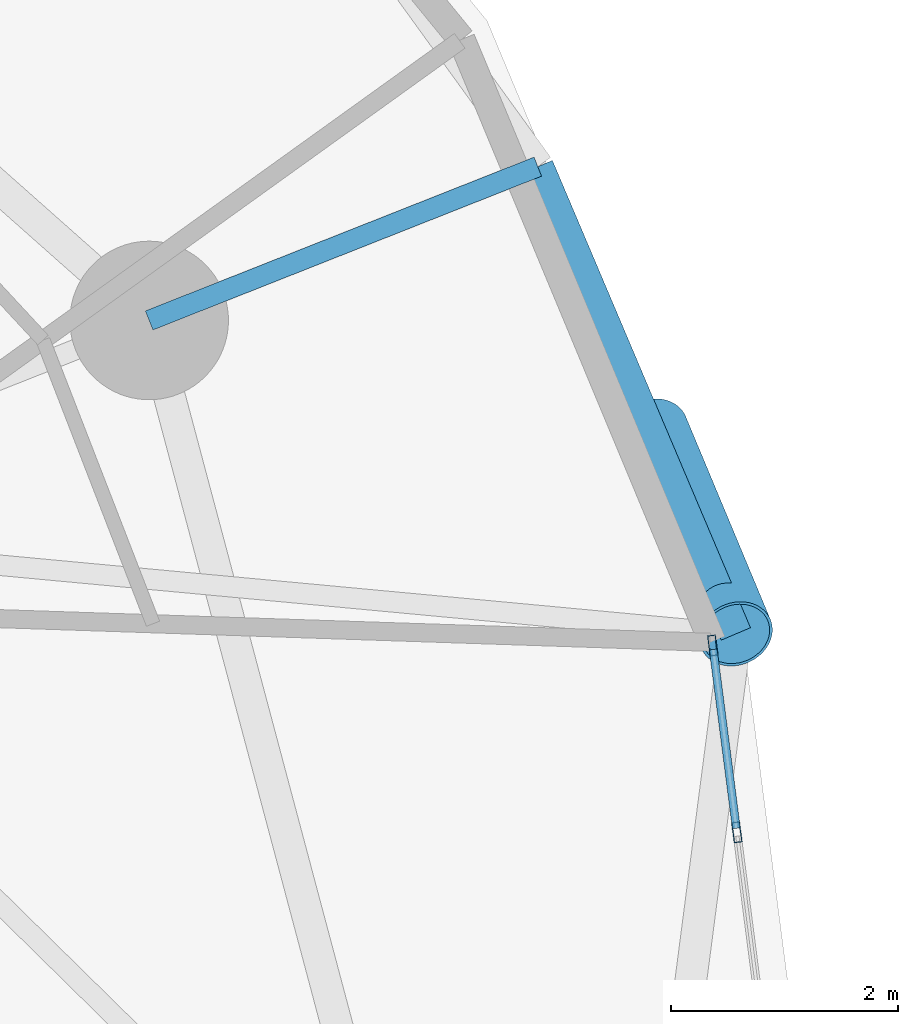
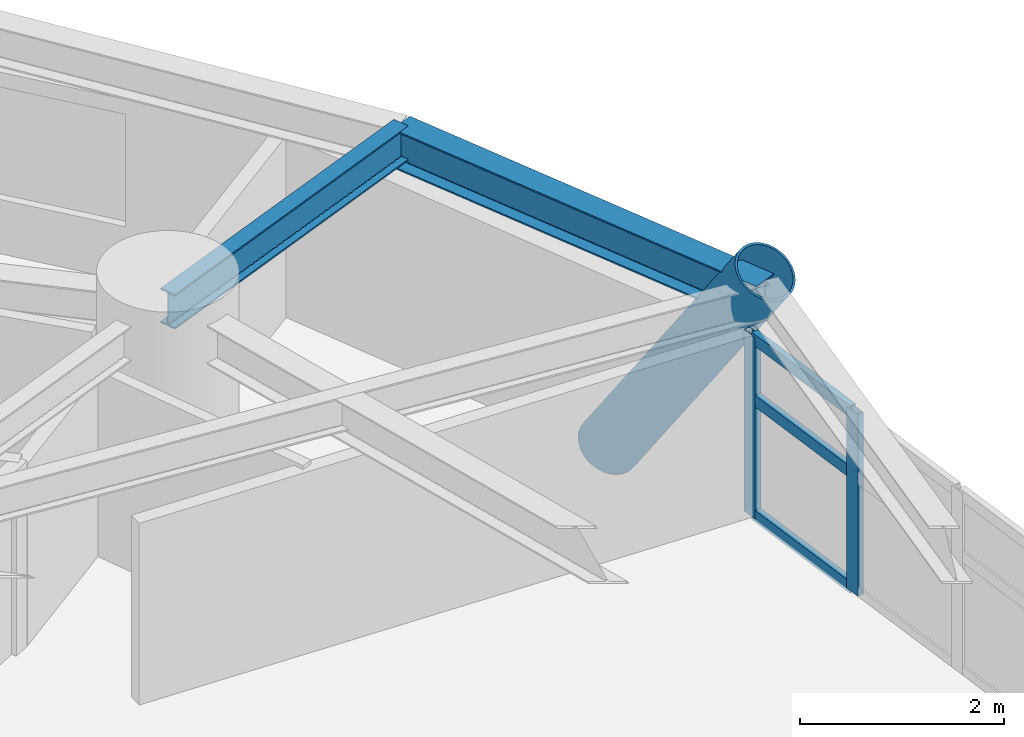
# One storey, part 4 of 17: 6 members, 2 beams, 1 element without a shape of its own.
"""IFC4 building model written with IfcOpenShell, lengths in metres."""

from ifc_helpers import new_model, si_unit, direction, frame, origin, origin_2d, place, context, subcontext, project, spatial, hollow_rectangle, hollow_circle, i_section, extrude, material, layer, layer_set, material_profile, profile_set, type_object, element, aggregate, save


model = new_model("IFC4")

# Units and contexts
model_context = context("Model", 3, precision=1e-05, world=origin(), true_north=direction((0.0, 1.0)))
body_context = subcontext(model_context, "Body", "Model", "MODEL_VIEW")
ifc_project = project(units=[si_unit("LENGTHUNIT", "METRE"), si_unit("AREAUNIT", "SQUARE_METRE"), si_unit("VOLUMEUNIT", "CUBIC_METRE"), si_unit("PLANEANGLEUNIT", "RADIAN"), si_unit("MASSUNIT", "GRAM", prefix="KILO")], contexts=[model_context])

# Site, building, storey
site_placement = place(None, origin())
site = spatial("IfcSite", under=ifc_project, at=site_placement, CompositionType="ELEMENT")
building_placement = place(site_placement, origin())
building = spatial("IfcBuilding", under=site, at=building_placement, Name="Cununo Teusaquillo Station Towers", CompositionType="ELEMENT")
storey_placement = place(building_placement, frame((0.0, 0.0, 107.97998046875)))
storey = spatial("IfcBuildingStorey", under=building, at=storey_placement, Name="L34", CompositionType="ELEMENT", Elevation=107.97998046875)

# Beams
ifc_material_1 = material(Name="Steel ASTM A572 Grade 50", Category="steel")
ifc_material_profile_1 = material_profile(ifc_material_1, i_section(OverallWidth=0.180908203125, OverallDepth=0.4169921875, WebThickness=0.010986328125, FlangeThickness=0.018310546875, FilletRadius=0.012939453125, at=origin_2d()), Name="W16X57")
ifc_profile_set_1 = profile_set([ifc_material_profile_1], Name="Steel ASTM A572 Grade 50")
beam_type_1 = type_object("IfcBeamType", Name="BM-RAD-G2", PredefinedType="BEAM", material=ifc_profile_set_1)
beam_1_placement = place(storey_placement, frame((26.347412109375, 33.228515625, 2.46142578125), z_axis=(0.929861788731, 0.367909029323, 0.0), x_axis=(-0.367909029323, 0.929861788731, 0.0)))
element("IfcBeam", 1, at=beam_1_placement, inside=storey, type_object=beam_type_1, Name="L34 Tower A Perimeter Overhang Girder 02B", PredefinedType="BEAM", context=body_context, shape_type="SweptSolid", body=[
    extrude(i_section(OverallWidth=0.180908203125, OverallDepth=0.4169921875, WebThickness=0.010986328125, FlangeThickness=0.018310546875, FilletRadius=0.012939453125, at=origin_2d()), origin(), (0.0, 0.0, 1.0), 3.690185546875),
])
ifc_material_2 = material(Name="Steel ASTM A572 Grade 50", Category="steel")
ifc_material_profile_2 = material_profile(ifc_material_2, i_section(OverallWidth=0.280029296875, OverallDepth=0.462890625, WebThickness=0.0107421875, FlangeThickness=0.017333984375, FilletRadius=0.013916015625, at=origin_2d()), Name="W18X76")
ifc_profile_set_2 = profile_set([ifc_material_profile_2], Name="Steel ASTM A572 Grade 50")
beam_type_2 = type_object("IfcBeamType", Name="BM-RING-Z2", PredefinedType="SPANDREL", material=ifc_profile_set_2)
beam_2_placement = place(storey_placement, frame((31.527587890625, 30.4609375, 2.4384765625), z_axis=(-0.390299356049, 0.920688010494, 0.0), x_axis=(-0.920688010494, -0.390299356049, 0.0)))
element("IfcBeam", 2, at=beam_2_placement, inside=storey, type_object=beam_type_2, Name="L34 Tower A Spandrel Ring Beam 02", PredefinedType="SPANDREL", context=body_context, shape_type="SweptSolid", body=[
    extrude(i_section(OverallWidth=0.280029296875, OverallDepth=0.462890625, WebThickness=0.0107421875, FlangeThickness=0.017333984375, FilletRadius=0.013916015625, at=origin_2d()), origin(), (0.0, 0.0, 1.0), 4.480712890625),
])

# Curtain wall, members
ifc_material_3 = material(Name="Ceramic-fritted dark low-E double glazing", Category="glass")
ifc_layer = layer(ifc_material_3, 0.179931640625)
ifc_layer_set = layer_set([ifc_layer], Name="Ceramic-fritted dark low-E double glazing")
curtain_wall_type = type_object("IfcCurtainWallType", Name="CW-SYS-04", PredefinedType="USERDEFINED", material=ifc_layer_set)
curtain_wall_placement = place(storey_placement, origin())
curtain_wall = element("IfcCurtainWall", 3, at=curtain_wall_placement, inside=storey, type_object=curtain_wall_type, Name="L34 Tower A Facade Curtain Wall C00", ObjectType="FRITTED GLAZING", PredefinedType="USERDEFINED")
ifc_material_4 = material(Name="Anodised dark bronze aluminium EN AW-6063-T6", Category="aluminium")
ifc_material_profile_3 = material_profile(ifc_material_4, hollow_rectangle(XDim=0.070068359375, YDim=0.179931640625, WallThickness=0.00390625, at=origin_2d()), Name="CW-MULL-70x180")
ifc_profile_set_3 = profile_set([ifc_material_profile_3], Name="Anodised dark bronze aluminium EN AW-6063-T6")
member_type_1 = type_object("IfcMemberType", Name="CWM-180", PredefinedType="MULLION", material=ifc_profile_set_3)
member_1_placement = place(storey_placement, frame((31.322998046875, 30.3583984375, 0.0), z_axis=(0.0, 0.0, 1.0), x_axis=(0.991730764367, 0.128335852387, 0.0)))
member_1 = element("IfcMember", 4, at=member_1_placement, type_object=member_type_1, Name="CW-04 mullion 1", PredefinedType="MULLION", context=body_context, shape_type="SweptSolid", body=[
    extrude(hollow_rectangle(XDim=0.070068359375, YDim=0.179931640625, WallThickness=0.00390625, at=origin_2d()), origin(), (0.0, 0.0, 1.0), 2.178955078125),
])
member_2_placement = place(storey_placement, frame((31.5361328125, 28.709716796875, 0.0), z_axis=(0.0, 0.0, 1.0), x_axis=(0.991730764367, 0.128335852387, 0.0)))
member_2 = element("IfcMember", 5, at=member_2_placement, type_object=member_type_1, Name="CW-04 mullion 2", PredefinedType="MULLION", context=body_context, shape_type="SweptSolid", body=[
    extrude(hollow_rectangle(XDim=0.070068359375, YDim=0.179931640625, WallThickness=0.00390625, at=origin_2d()), origin(), (0.0, 0.0, 1.0), 2.178955078125),
])
ifc_material_5 = material(Name="Anodised dark bronze aluminium EN AW-6063-T6", Category="aluminium")
ifc_material_profile_4 = material_profile(ifc_material_5, hollow_rectangle(XDim=0.070068359375, YDim=0.139892578125, WallThickness=0.00390625, at=origin_2d()), Name="CW-TRAN-70x140")
ifc_profile_set_4 = profile_set([ifc_material_profile_4], Name="Anodised dark bronze aluminium EN AW-6063-T6")
member_type_2 = type_object("IfcMemberType", Name="CWT-140", PredefinedType="USERDEFINED", material=ifc_profile_set_4)
member_3_placement = place(storey_placement, frame((31.327392578125, 30.323486328125, 0.034912109375), z_axis=(0.128336210724, -0.991730717996, 0.0), x_axis=(0.991730717996, 0.128336210724, 0.0)))
member_3 = element("IfcMember", 6, at=member_3_placement, type_object=member_type_2, Name="CW-04 transom 1.1", ObjectType="TRANSOM", PredefinedType="USERDEFINED", context=body_context, shape_type="SweptSolid", body=[
    extrude(hollow_rectangle(XDim=0.070068359375, YDim=0.139892578125, WallThickness=0.00390625, at=origin_2d()), origin(), (0.0, 0.0, 1.0), 1.59228515625),
])
member_4_placement = place(storey_placement, frame((31.327392578125, 30.323486328125, 1.416015625), z_axis=(0.128336210724, -0.991730717996, 0.0), x_axis=(0.991730717996, 0.128336210724, 0.0)))
member_4 = element("IfcMember", 7, at=member_4_placement, type_object=member_type_2, Name="CW-04 transom 1.2", ObjectType="TRANSOM", PredefinedType="USERDEFINED", context=body_context, shape_type="SweptSolid", body=[
    extrude(hollow_rectangle(XDim=0.070068359375, YDim=0.139892578125, WallThickness=0.00390625, at=origin_2d()), origin(), (0.0, 0.0, 1.0), 1.59228515625),
])
member_5_placement = place(storey_placement, frame((31.327392578125, 30.323486328125, 2.14404296875), z_axis=(0.128336210724, -0.991730717996, 0.0), x_axis=(0.991730717996, 0.128336210724, 0.0)))
member_5 = element("IfcMember", 8, at=member_5_placement, type_object=member_type_2, Name="CW-04 transom 1.3", ObjectType="TRANSOM", PredefinedType="USERDEFINED", context=body_context, shape_type="SweptSolid", body=[
    extrude(hollow_rectangle(XDim=0.070068359375, YDim=0.139892578125, WallThickness=0.00390625, at=origin_2d()), origin(), (0.0, 0.0, 1.0), 1.59228515625),
])
aggregate(curtain_wall, [member_1, member_2, member_3, member_4, member_5])

# Member
ifc_material_6 = material(Name="Steel EN 10025-2 S355J2", Category="steel")
ifc_material_profile_5 = material_profile(ifc_material_6, hollow_circle(Radius=0.330078125, WallThickness=0.02490234375, at=origin_2d()), Name="CHS 660x25")
ifc_profile_set_5 = profile_set([ifc_material_profile_5], Name="Steel EN 10025-2 S355J2")
member_type_3 = type_object("IfcMemberType", Name="MBR-DIAG-Z2", PredefinedType="BRACE", material=ifc_profile_set_5)
member_6_placement = place(storey_placement, frame((30.779541015625, 32.25341796875, -0.139892578125), z_axis=(0.213813667787, -0.512343325357, 0.831737958993), x_axis=(0.922861086318, 0.385132983993, 0.0)))
element("IfcMember", 9, at=member_6_placement, inside=storey, type_object=member_type_3, Name="L34 Tower A Folded-Zigzag Diagrid Tube C01", PredefinedType="BRACE", context=body_context, shape_type="SweptSolid", body=[
    extrude(hollow_circle(Radius=0.330078125, WallThickness=0.02490234375, at=origin_2d()), origin(), (0.0, 0.0, 1.0), 3.49853515625),
])

save(model, "model.ifc")
